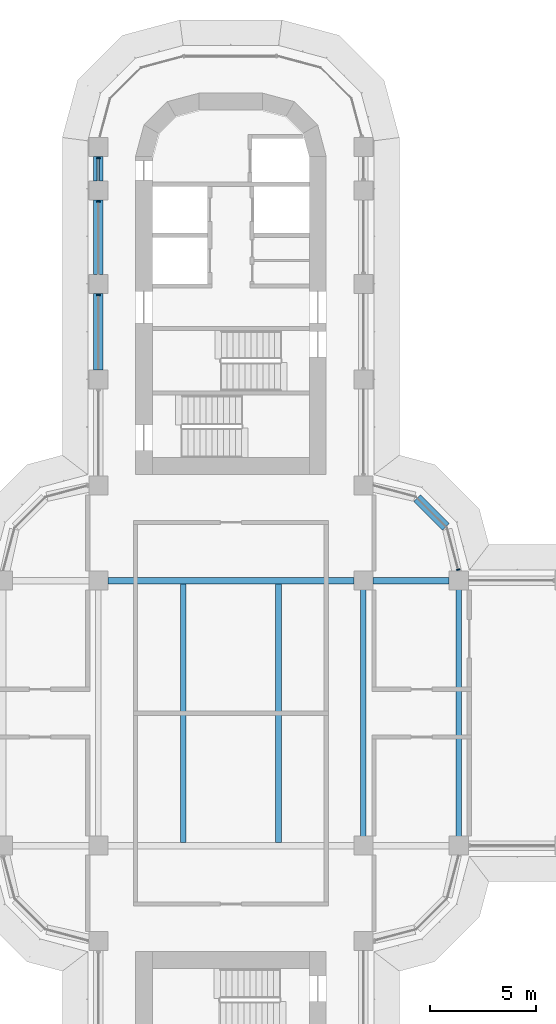
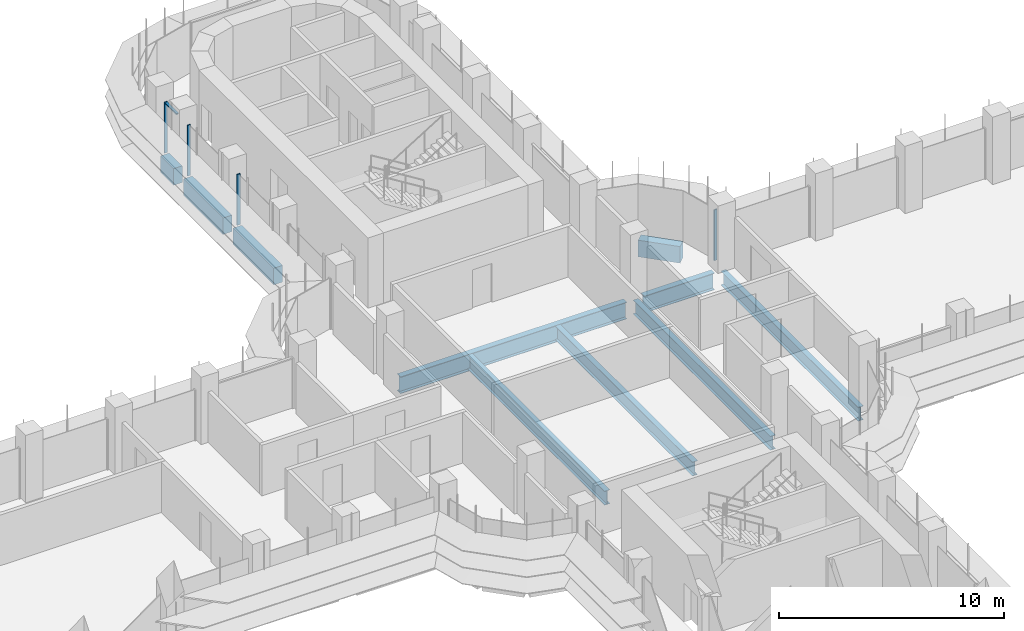
# One storey, part 7 of 21: 10 beams, 5 members, 2 elements without a shape of their own.
"""IFC4 building model written with IfcOpenShell, lengths in metres."""

from ifc_helpers import new_model, si_unit, direction, frame, origin, origin_2d, place, context, subcontext, project, spatial, polyline, rectangle, i_section, outline, extrude, source, transform, mapped, material, material_profile, profile_set, type_object, element, aggregate, save


model = new_model("IFC4")

# Units and contexts
model_context = context("Model", 3, precision=1e-05, world=origin(), true_north=direction((0.0, 1.0)))
body_context = subcontext(model_context, "Body", "Model", "MODEL_VIEW")
ifc_project = project(units=[si_unit("LENGTHUNIT", "METRE"), si_unit("AREAUNIT", "SQUARE_METRE"), si_unit("VOLUMEUNIT", "CUBIC_METRE"), si_unit("PLANEANGLEUNIT", "RADIAN"), si_unit("MASSUNIT", "GRAM", prefix="KILO")], contexts=[model_context])

# Site, building, storey
site_placement = place(None, origin())
site = spatial("IfcSite", under=ifc_project, at=site_placement, CompositionType="ELEMENT")
building_placement = place(site_placement, origin())
building = spatial("IfcBuilding", under=site, at=building_placement, Name="Zarbagh Exchange Tower", CompositionType="ELEMENT")
storey_placement = place(building_placement, frame((0.0, 0.0, 120.800048828125)))
storey = spatial("IfcBuildingStorey", under=building, at=storey_placement, Name="L28", CompositionType="ELEMENT", Elevation=120.800048828125)

# Beams
ifc_material_1 = material(Name="Steel ASTM A992 Gr 50", Category="steel")
ifc_material_profile_1 = material_profile(ifc_material_1, i_section(OverallWidth=0.2666015625, OverallDepth=0.7568359375, WebThickness=0.013916015625, FlangeThickness=0.019287109375, at=origin_2d()), Name="W30X108")
ifc_profile_set_1 = profile_set([ifc_material_profile_1], Name="Steel ASTM A992 Gr 50")
beam_type_1 = type_object("IfcBeamType", Name="Floor beam W30X108", PredefinedType="BEAM", material=ifc_profile_set_1)
for number, where, z_axis, x_axis, name in (
    (1, (-2.25, -6.09765625, -0.528564453125), (0.0, 1.0, 0.0), (-1.0, 0.0, 0.0), "Steel floor beam"),
    (2, (2.25, -6.09765625, -0.528564453125), (0.0, 1.0, 0.0), (-1.0, 0.0, 0.0), "Steel floor beam"),
    (3, (6.25, -6.09765625, -0.528564453125), (0.0, 1.0, 0.0), (-1.0, 0.0, 0.0), "Steel floor beam"),
    (4, (10.75, -6.09765625, -0.528564453125), (0.0, 1.0, 0.0), (-1.0, 0.0, 0.0), "Steel floor beam"),
):
    element("IfcBeam", number, at=place(storey_placement, frame(where, z_axis=z_axis, x_axis=x_axis)), inside=storey, type_object=beam_type_1, Name=name, PredefinedType="BEAM", context=body_context, shape_type="SweptSolid", body=[
        extrude(i_section(OverallWidth=0.2666015625, OverallDepth=0.7568359375, WebThickness=0.013916015625, FlangeThickness=0.019287109375, at=origin_2d()), origin(), (0.0, 0.0, 1.0), 12.1953125),
    ])
ifc_material_profile_2 = material_profile(ifc_material_1, i_section(OverallWidth=0.3046875, OverallDepth=0.911865234375, WebThickness=0.015869140625, FlangeThickness=0.02392578125, at=origin_2d()), Name="W36X150")
ifc_profile_set_2 = profile_set([ifc_material_profile_2], Name="Steel ASTM A992 Gr 50")
beam_type_2 = type_object("IfcBeamType", Name="Floor girder W36X150", PredefinedType="BEAM", material=ifc_profile_set_2)
beam_1_placement = place(storey_placement, frame((-5.800048828125, 6.25, -0.60595703125), z_axis=(1.0, 0.0, 0.0), x_axis=(0.0, 1.0, 0.0)))
element("IfcBeam", 5, at=beam_1_placement, inside=storey, type_object=beam_type_2, Name="Steel girder", PredefinedType="BEAM", context=body_context, shape_type="SweptSolid", body=[
    extrude(i_section(OverallWidth=0.3046875, OverallDepth=0.911865234375, WebThickness=0.015869140625, FlangeThickness=0.02392578125, at=origin_2d()), origin(), (0.0, 0.0, 1.0), 11.60009765625),
])
beam_2_placement = place(storey_placement, frame((6.699951171875, 6.25, -0.60595703125), z_axis=(1.0, 0.0, 0.0), x_axis=(0.0, 1.0, 0.0)))
element("IfcBeam", 6, at=beam_2_placement, inside=storey, type_object=beam_type_2, Name="Steel girder", PredefinedType="BEAM", context=body_context, shape_type="SweptSolid", body=[
    extrude(i_section(OverallWidth=0.3046875, OverallDepth=0.911865234375, WebThickness=0.015869140625, FlangeThickness=0.02392578125, at=origin_2d()), origin(), (0.0, 0.0, 1.0), 3.60009765625),
])
ifc_material_2 = material(Name="Concrete C60/75", Category="concrete")
ifc_material_profile_3 = material_profile(ifc_material_2, rectangle(XDim=0.449951171875, YDim=0.89990234375, at=origin_2d()), Name="RC spandrel beam 450 x 900 C60/75")
ifc_profile_set_3 = profile_set([ifc_material_profile_3], Name="Concrete C60/75")
beam_type_3 = type_object("IfcBeamType", Name="RC spandrel beam 450 x 900 C60/75", PredefinedType="SPANDREL", material=ifc_profile_set_3)
beam_3_placement = place(storey_placement, frame((-6.25, 16.199951171875, -0.60009765625), z_axis=(0.0, 1.0, 0.0), x_axis=(-1.0, 0.0, 0.0)))
element("IfcBeam", 7, at=beam_3_placement, inside=storey, type_object=beam_type_3, Name="RC spandrel beam", PredefinedType="SPANDREL", context=body_context, shape_type="SweptSolid", body=[
    extrude(rectangle(XDim=0.449951171875, YDim=0.89990234375, at=origin_2d()), origin(), (0.0, 0.0, 1.0), 3.60009765625),
])
beam_4_placement = place(storey_placement, frame((-6.25, 20.699951171875, -0.60009765625), z_axis=(0.0, 1.0, 0.0), x_axis=(-1.0, 0.0, 0.0)))
element("IfcBeam", 8, at=beam_4_placement, inside=storey, type_object=beam_type_3, Name="RC spandrel beam", PredefinedType="SPANDREL", context=body_context, shape_type="SweptSolid", body=[
    extrude(rectangle(XDim=0.449951171875, YDim=0.89990234375, at=origin_2d()), origin(), (0.0, 0.0, 1.0), 3.5),
])
beam_5_placement = place(storey_placement, frame((-6.25, 25.10009765625, -0.60009765625), z_axis=(0.0, 1.0, 0.0), x_axis=(-1.0, 0.0, 0.0)))
element("IfcBeam", 9, at=beam_5_placement, inside=storey, type_object=beam_type_3, Name="RC spandrel beam", PredefinedType="SPANDREL", context=body_context, shape_type="SweptSolid", body=[
    extrude(rectangle(XDim=0.449951171875, YDim=0.89990234375, at=origin_2d()), origin(), (0.0, 0.0, 1.0), 1.14990234375),
])
beam_6_placement = place(storey_placement, frame((8.78759765625, 10.15234375, -0.60009765625), z_axis=(0.707106781187, -0.707106781187, 0.0), x_axis=(0.707106781187, 0.707106781187, 0.0)))
element("IfcBeam", 10, at=beam_6_placement, inside=storey, type_object=beam_type_3, Name="RC spandrel beam", PredefinedType="SPANDREL", context=body_context, shape_type="SweptSolid", body=[
    extrude(rectangle(XDim=0.449951171875, YDim=0.89990234375, at=origin_2d()), origin(), (0.0, 0.0, 1.0), 1.929931640625),
])

# Curtain wall, member
ifc_material_3 = material(Name="Anodised aluminium frame and glazing", Category="aluminium")
curtain_wall_type = type_object("IfcCurtainWallType", Name="CWA Ribbon glazing, lower zones", PredefinedType="NOTDEFINED", material=ifc_material_3)
curtain_wall_1_placement = place(storey_placement, origin())
curtain_wall_1 = element("IfcCurtainWall", 11, at=curtain_wall_1_placement, inside=storey, type_object=curtain_wall_type, Name="CWA17 curtain wall", PredefinedType="NOTDEFINED")
ifc_material_4 = material(Name="Anodised aluminium frame", Category="aluminium")
member_type_1 = type_object("IfcMemberType", Name="MUA Mullion, anodised aluminium frame", PredefinedType="MULLION", material=ifc_material_4)
shared_shape_1 = source(origin(), body_context, "Body", "SweptSolid", [
    extrude(outline(polyline([(0.0, -0.080078125), (0.06005859375, -0.080078125), (0.06005859375, 0.080078125), (0.0, 0.080078125), (0.0, -0.080078125)])), origin(), (0.0, 0.0, 1.0), 2.75),
])
placement = place(storey_placement, origin())
member_1 = element("IfcMember", 12, at=placement, type_object=member_type_1, Name="CWA17 mullion 1.1", PredefinedType="MULLION", context=body_context, shape_type="MappedRepresentation", body=[
    mapped(shared_shape_1, transform((10.735107421875, 6.739990234375, 0.0), x_axis=(-0.258824779902, 0.965924289636, 0.0), y_axis=(-0.965924289636, -0.258824779902, 0.0), z_axis=(0.0, 0.0, 1.0))),
])
aggregate(curtain_wall_1, [member_1])

# Curtain wall, members
curtain_wall_2_placement = place(storey_placement, origin())
curtain_wall_2 = element("IfcCurtainWall", 13, at=curtain_wall_2_placement, inside=storey, type_object=curtain_wall_type, Name="CWA56 curtain wall", PredefinedType="NOTDEFINED")
member_2 = element("IfcMember", 14, at=placement, type_object=member_type_1, Name="CWA56 mullion 1.1", PredefinedType="MULLION", context=body_context, shape_type="MappedRepresentation", body=[
    mapped(shared_shape_1, transform((-6.25, 26.2099609375, 0.0), x_axis=(0.0, -1.0, 0.0), y_axis=(1.0, 0.0, 0.0), z_axis=(0.0, 0.0, 1.0))),
])
member_3 = element("IfcMember", 15, at=placement, type_object=member_type_1, Name="CWA56 mullion 2.1", PredefinedType="MULLION", context=body_context, shape_type="MappedRepresentation", body=[
    mapped(shared_shape_1, transform((-6.25, 24.159912109375, 0.0), x_axis=(0.0, -1.0, 0.0), y_axis=(1.0, 0.0, 0.0), z_axis=(0.0, 0.0, 1.0))),
])
member_4 = element("IfcMember", 16, at=placement, type_object=member_type_1, Name="CWA56 mullion 3.1", PredefinedType="MULLION", context=body_context, shape_type="MappedRepresentation", body=[
    mapped(shared_shape_1, transform((-6.25, 19.760009765625, 0.0), x_axis=(0.0, -1.0, 0.0), y_axis=(1.0, 0.0, 0.0), z_axis=(0.0, 0.0, 1.0))),
])
member_type_2 = type_object("IfcMemberType", Name="TRA Transom, anodised aluminium frame", PredefinedType="USERDEFINED", material=ifc_material_4)
shared_shape_2 = source(origin(), body_context, "Body", "SweptSolid", [
    extrude(outline(polyline([(-0.06005859375, -0.06005859375), (0.0, -0.06005859375), (0.0, 0.06005859375), (-0.06005859375, 0.06005859375), (-0.06005859375, -0.06005859375)])), origin(), (0.0, 0.0, 1.0), 1.010009765625),
])
member_5 = element("IfcMember", 17, at=placement, type_object=member_type_2, Name="CWA56 transom 1.1", ObjectType="TRANSOM", PredefinedType="USERDEFINED", context=body_context, shape_type="MappedRepresentation", body=[
    mapped(shared_shape_2, transform((-6.25, 26.14990234375, 2.75), x_axis=(0.0, 0.0, 1.0), y_axis=(-1.0, 0.0, 0.0), z_axis=(0.0, -1.0, 0.0))),
])
aggregate(curtain_wall_2, [member_2, member_5, member_3, member_4])

save(model, "model.ifc")
